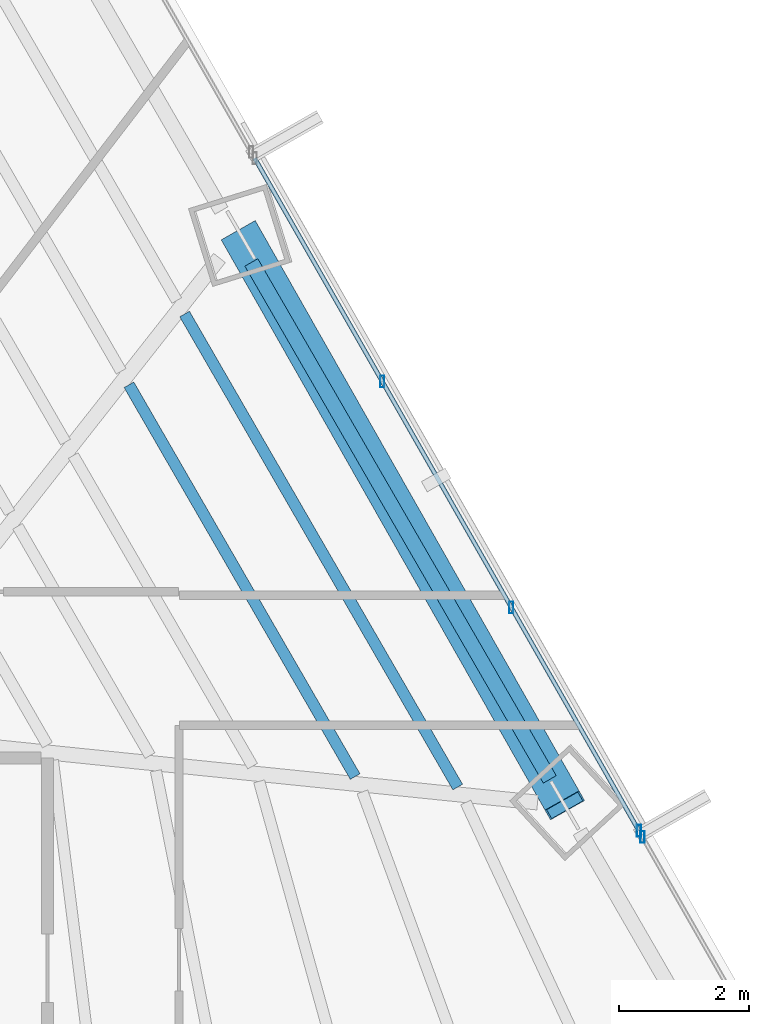
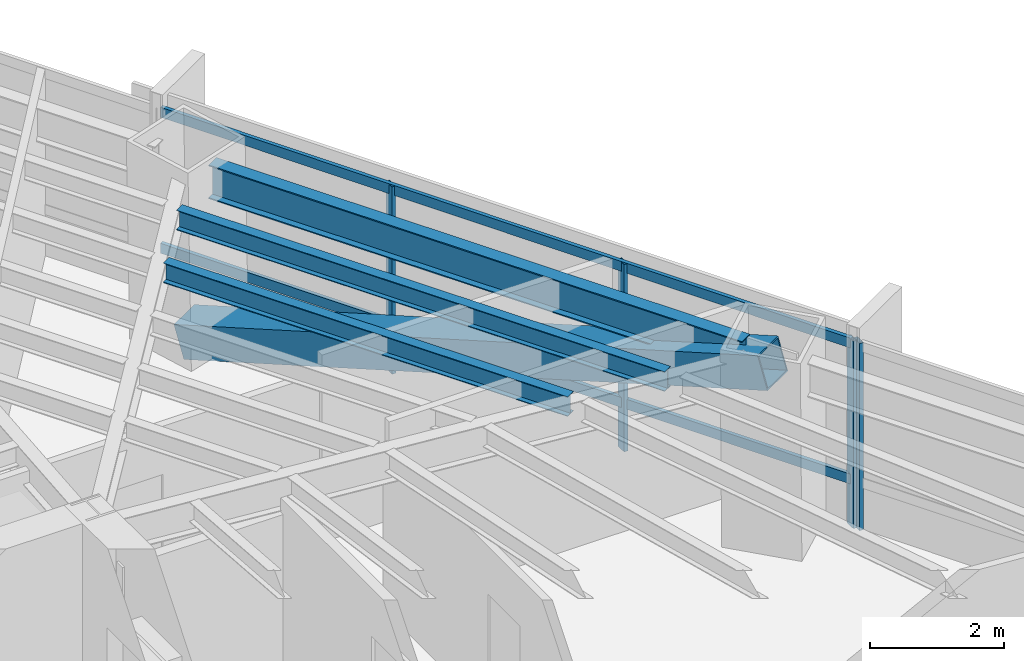
# One storey, part 22 of 36: 7 members, 3 beams, 2 elements without a shape of their own.
"""IFC4 building model written with IfcOpenShell, lengths in metres."""

from ifc_helpers import new_model, si_unit, direction, frame, origin, origin_2d, place, context, subcontext, project, spatial, hollow_rectangle, i_section, extrude, source, transform, mapped, material, material_profile, profile_set, type_object, type_shapes, element, aggregate, save


model = new_model("IFC4")

# Units and contexts
model_context = context("Model", 3, precision=1e-05, world=origin(), true_north=direction((0.0, 1.0)))
body_context = subcontext(model_context, "Body", "Model", "MODEL_VIEW")
ifc_project = project(units=[si_unit("LENGTHUNIT", "METRE"), si_unit("AREAUNIT", "SQUARE_METRE"), si_unit("VOLUMEUNIT", "CUBIC_METRE"), si_unit("PLANEANGLEUNIT", "RADIAN"), si_unit("MASSUNIT", "GRAM", prefix="KILO")], contexts=[model_context])

# Site, building, storey
site_placement = place(None, origin())
site = spatial("IfcSite", under=ifc_project, at=site_placement, CompositionType="ELEMENT")
building_placement = place(site_placement, origin())
building = spatial("IfcBuilding", under=site, at=building_placement, Name="Caelisora Broadcast Tower", CompositionType="ELEMENT")
storey_placement = place(building_placement, frame((0.0, 0.0, 60.449951171875)))
storey = spatial("IfcBuildingStorey", under=building, at=storey_placement, Name="L15", CompositionType="ELEMENT", Elevation=60.449951171875)

# Beams
ifc_material_1 = material(Name="Steel Grade 350 (AS/NZS 3679.1)", Category="steel")
ifc_material_profile_1 = material_profile(ifc_material_1, i_section(OverallWidth=0.22900390625, OverallDepth=0.611572265625, WebThickness=0.011962890625, FlangeThickness=0.01953125, at=origin_2d()), Name="Steel Grade 350 (AS/NZS 3679.1)")
ifc_profile_set_1 = profile_set([ifc_material_profile_1], Name="Steel Grade 350 (AS/NZS 3679.1)")
beam_type_1 = type_object("IfcBeamType", Name="PG03", PredefinedType="BEAM", material=ifc_profile_set_1)
shared_shape_1 = source(origin(), body_context, "Body", "SweptSolid", [
    extrude(i_section(OverallWidth=0.22900390625, OverallDepth=0.611572265625, WebThickness=0.011962890625, FlangeThickness=0.01953125, at=origin_2d()), origin(), (0.0, 0.0, 1.0), 9.16259765625),
])
type_shapes(beam_type_1, [shared_shape_1])
beam_1_placement = place(storey_placement, frame((56.292236328125, 29.27099609375, 3.09423828125), z_axis=(-0.499999231632, 0.866025847402, 0.0), x_axis=(-0.866025847402, -0.499999231632, 0.0)))
element("IfcBeam", 1, at=beam_1_placement, inside=storey, type_object=beam_type_1, Name="L15 beam PG03", PredefinedType="BEAM", context=body_context, shape_type="MappedRepresentation", body=[
    mapped(shared_shape_1, transform((0.0, 0.0, 0.0), scale=1.0)),
])
ifc_material_profile_2 = material_profile(ifc_material_1, i_section(OverallWidth=0.172119140625, OverallDepth=0.358642578125, WebThickness=0.008056640625, FlangeThickness=0.012939453125, at=origin_2d()), Name="Steel Grade 350 (AS/NZS 3679.1)")
ifc_profile_set_2 = profile_set([ifc_material_profile_2], Name="Steel Grade 350 (AS/NZS 3679.1)")
beam_type_2 = type_object("IfcBeamType", Name="SB02", PredefinedType="JOIST", material=ifc_profile_set_2)
shared_shape_2 = source(origin(), body_context, "Body", "SweptSolid", [
    extrude(i_section(OverallWidth=0.172119140625, OverallDepth=0.358642578125, WebThickness=0.008056640625, FlangeThickness=0.012939453125, at=origin_2d()), origin(), (0.0, 0.0, 1.0), 6.9443359375),
])
beam_2_placement = place(storey_placement, frame((53.30419921875, 29.31396484375, 3.220703125), z_axis=(-0.500003449404, 0.866023412261, 0.0), x_axis=(-0.866023412261, -0.500003449404, 0.0)))
element("IfcBeam", 2, at=beam_2_placement, inside=storey, type_object=beam_type_2, Name="L15 beam SB02", PredefinedType="JOIST", context=body_context, shape_type="MappedRepresentation", body=[
    mapped(shared_shape_2, transform((0.0, 0.0, 0.0), scale=1.0)),
])
shared_shape_3 = source(origin(), body_context, "Body", "SweptSolid", [
    extrude(i_section(OverallWidth=0.172119140625, OverallDepth=0.358642578125, WebThickness=0.008056640625, FlangeThickness=0.012939453125, at=origin_2d()), origin(), (0.0, 0.0, 1.0), 8.385009765625),
])
type_shapes(beam_type_2, [shared_shape_2, shared_shape_3])
beam_3_placement = place(storey_placement, frame((54.87890625, 29.15283203125, 3.220703125), z_axis=(-0.500019019051, 0.866014422852, 0.0), x_axis=(-0.866014422852, -0.500019019051, 0.0)))
element("IfcBeam", 3, at=beam_3_placement, inside=storey, type_object=beam_type_2, Name="L15 beam SB02", PredefinedType="JOIST", context=body_context, shape_type="MappedRepresentation", body=[
    mapped(shared_shape_3, transform((0.0, 0.0, 0.0), scale=1.0)),
])

# Member
ifc_material_2 = material(Name="Steel Grade 450 L15 (AS/NZS 3678)", Category="steel")
ifc_material_profile_3 = material_profile(ifc_material_2, hollow_rectangle(XDim=0.60009765625, YDim=0.60009765625, WallThickness=0.02490234375, at=origin_2d()), Name="Steel Grade 450 L15 (AS/NZS 3678)")
ifc_profile_set_3 = profile_set([ifc_material_profile_3], Name="Steel Grade 450 L15 (AS/NZS 3678)")
member_type_1 = type_object("IfcMemberType", Name="BR01", PredefinedType="BRACE", material=ifc_profile_set_3)
shared_shape_4 = source(origin(), body_context, "Body", "SweptSolid", [
    extrude(hollow_rectangle(XDim=0.60009765625, YDim=0.60009765625, WallThickness=0.02490234375, at=origin_2d()), origin(), (0.0, 0.0, 1.0), 10.504150390625),
])
type_shapes(member_type_1, [shared_shape_4])
member_1_placement = place(storey_placement, frame((56.522216796875, 28.87255859375, 3.10009765625), z_axis=(-0.473191803336, 0.833379109997, -0.285602479464), x_axis=(-0.869599517274, -0.493757713414, 0.0)))
element("IfcMember", 4, at=member_1_placement, inside=storey, type_object=member_type_1, Name="L15 perimeter brace BR01", PredefinedType="BRACE", context=body_context, shape_type="MappedRepresentation", body=[
    mapped(shared_shape_4, transform((0.0, 0.0, 0.0), scale=1.0)),
])

# Curtain wall, members
ifc_material_3 = material(Name="Unitised Aluminium Insulated Shadow-Box Spandrel Curtain Wall", Category="aluminium")
curtain_wall_type_1 = type_object("IfcCurtainWallType", Name="CW-SP1", PredefinedType="NOTDEFINED", material=ifc_material_3)
curtain_wall_1_placement = place(storey_placement, origin())
curtain_wall_1 = element("IfcCurtainWall", 5, at=curtain_wall_1_placement, inside=storey, type_object=curtain_wall_type_1, Name="L15 curtain wall CW-SP1", PredefinedType="NOTDEFINED")
ifc_material_4 = material(Name="Aluminium 6063-T6 Anodised Terracotta Bronze", Category="aluminium")
ifc_material_profile_4 = material_profile(ifc_material_4, hollow_rectangle(XDim=0.06494140625, YDim=0.179931640625, WallThickness=0.00341796875, at=origin_2d()), Name="Aluminium 6063-T6 Anodised Terracotta Bronze")
ifc_profile_set_4 = profile_set([ifc_material_profile_4], Name="Aluminium 6063-T6 Anodised Terracotta Bronze")
member_type_2 = type_object("IfcMemberType", Name="CWM-02", PredefinedType="MULLION", material=ifc_profile_set_4)
shared_shape_5 = source(origin(), body_context, "Body", "SweptSolid", [
    extrude(hollow_rectangle(XDim=0.06494140625, YDim=0.179931640625, WallThickness=0.00341796875, at=origin_2d()), origin(), (0.0, 0.0, 1.0), 3.400146484375),
])
type_shapes(member_type_2, [shared_shape_5])
member_2_placement = place(storey_placement, frame((53.719970703125, 35.37939453125, 0.0), z_axis=(0.0, 0.0, 1.0), x_axis=(1.0, 0.0, 0.0)))
member_2 = element("IfcMember", 6, at=member_2_placement, type_object=member_type_2, Name="L15-CW-B02 mullion #1", PredefinedType="MULLION", context=body_context, shape_type="MappedRepresentation", body=[
    mapped(shared_shape_5, transform((0.0, 0.0, 0.0), scale=1.0)),
])
member_3_placement = place(storey_placement, frame((55.7021484375, 31.908935546875, 0.0), z_axis=(0.0, 0.0, 1.0), x_axis=(1.0, 0.0, 0.0)))
member_3 = element("IfcMember", 7, at=member_3_placement, type_object=member_type_2, Name="L15-CW-B02 mullion #2", PredefinedType="MULLION", context=body_context, shape_type="MappedRepresentation", body=[
    mapped(shared_shape_5, transform((0.0, 0.0, 0.0), scale=1.0)),
])
member_4_placement = place(storey_placement, frame((57.659912109375, 28.482177734375, 0.0), z_axis=(0.0, 0.0, 1.0), x_axis=(1.0, 0.0, 0.0)))
member_4 = element("IfcMember", 8, at=member_4_placement, type_object=member_type_2, Name="L15-CW-B02 mullion #3", PredefinedType="MULLION", context=body_context, shape_type="MappedRepresentation", body=[
    mapped(shared_shape_5, transform((0.0, 0.0, 0.0), scale=1.0)),
])

# Curtain wall, member
ifc_material_5 = material(Name="Unitised Aluminium and Low-E Glass Curtain Wall", Category="glass")
curtain_wall_type_2 = type_object("IfcCurtainWallType", Name="CW-Z1", PredefinedType="NOTDEFINED", material=ifc_material_5)
curtain_wall_2_placement = place(storey_placement, origin())
curtain_wall_2 = element("IfcCurtainWall", 9, at=curtain_wall_2_placement, inside=storey, type_object=curtain_wall_type_2, Name="L15 curtain wall CW-Z1", PredefinedType="NOTDEFINED")
member_5_placement = place(storey_placement, frame((57.71435546875, 28.386474609375, 0.0), z_axis=(0.0, 0.0, 1.0), x_axis=(1.0, 0.0, 0.0)))
member_5 = element("IfcMember", 10, at=member_5_placement, type_object=member_type_2, Name="L15-CW-B03 mullion #0", PredefinedType="MULLION", context=body_context, shape_type="MappedRepresentation", body=[
    mapped(shared_shape_5, transform((0.0, 0.0, 0.0), scale=1.0)),
])
aggregate(curtain_wall_2, [member_5])

# Member
ifc_material_profile_5 = material_profile(ifc_material_4, hollow_rectangle(XDim=0.06494140625, YDim=0.179931640625, WallThickness=0.00341796875, at=origin_2d()), Name="Aluminium 6063-T6 Anodised Terracotta Bronze")
ifc_profile_set_5 = profile_set([ifc_material_profile_5], Name="Aluminium 6063-T6 Anodised Terracotta Bronze")
member_type_3 = type_object("IfcMemberType", Name="CWT-01", PredefinedType="USERDEFINED", material=ifc_profile_set_5)
shared_shape_6 = source(origin(), body_context, "Body", "SweptSolid", [
    extrude(hollow_rectangle(XDim=0.06494140625, YDim=0.179931640625, WallThickness=0.00341796875, at=origin_2d()), origin(), (0.0, 0.0, 1.0), 11.889892578125),
])
type_shapes(member_type_3, [shared_shape_6])
member_6_placement = place(storey_placement, frame((51.762451171875, 38.806396484375, 0.85009765625), z_axis=(0.496006254824, -0.868318947839, 0.0), x_axis=(0.868318947839, 0.496006254824, 0.0)))
member_6 = element("IfcMember", 11, at=member_6_placement, type_object=member_type_3, Name="L15-CW-B02 transom #1", ObjectType="TRANSOM", PredefinedType="USERDEFINED", context=body_context, shape_type="MappedRepresentation", body=[
    mapped(shared_shape_6, transform((0.0, 0.0, 0.0), scale=1.0)),
])

member_7_placement = place(storey_placement, frame((51.762451171875, 38.806396484375, 3.320068359375), z_axis=(0.496006254824, -0.868318947839, 0.0), x_axis=(0.868318947839, 0.496006254824, 0.0)))
member_7 = element("IfcMember", 12, at=member_7_placement, type_object=member_type_3, Name="L15-CW-B02 transom #2", ObjectType="TRANSOM", PredefinedType="USERDEFINED", context=body_context, shape_type="MappedRepresentation", body=[
    mapped(shared_shape_6, transform((0.0, 0.0, 0.0), scale=1.0)),
])

aggregate(curtain_wall_1, [member_2, member_3, member_4, member_6, member_7])

save(model, "model.ifc")
